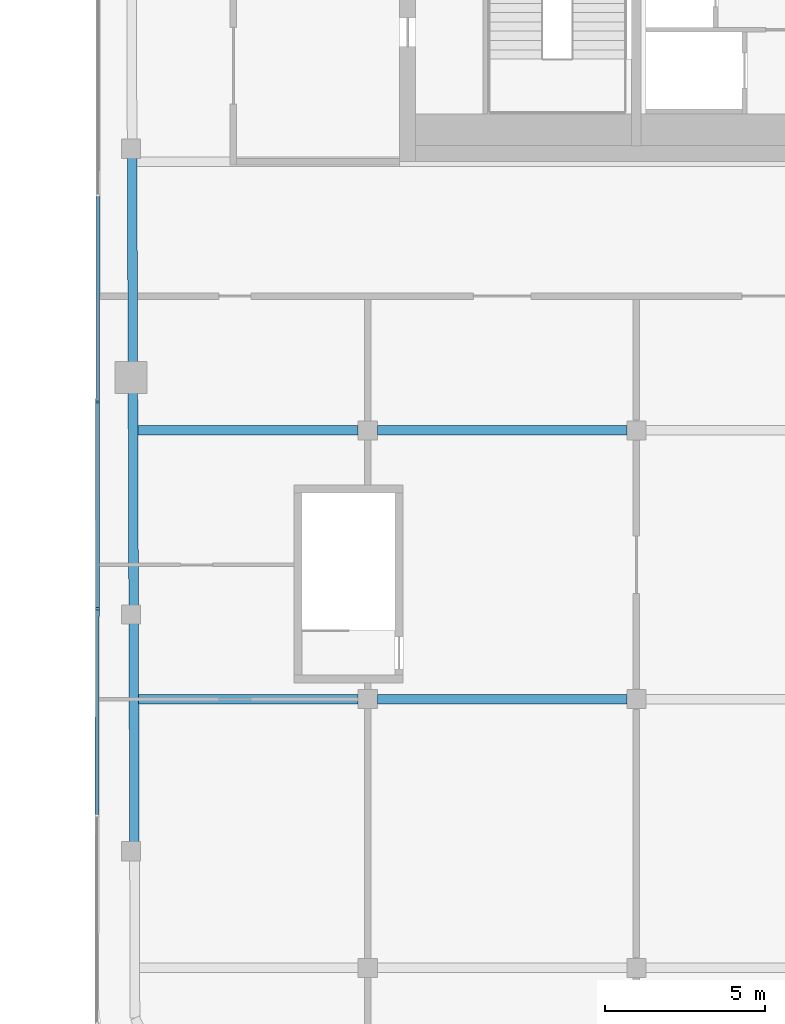
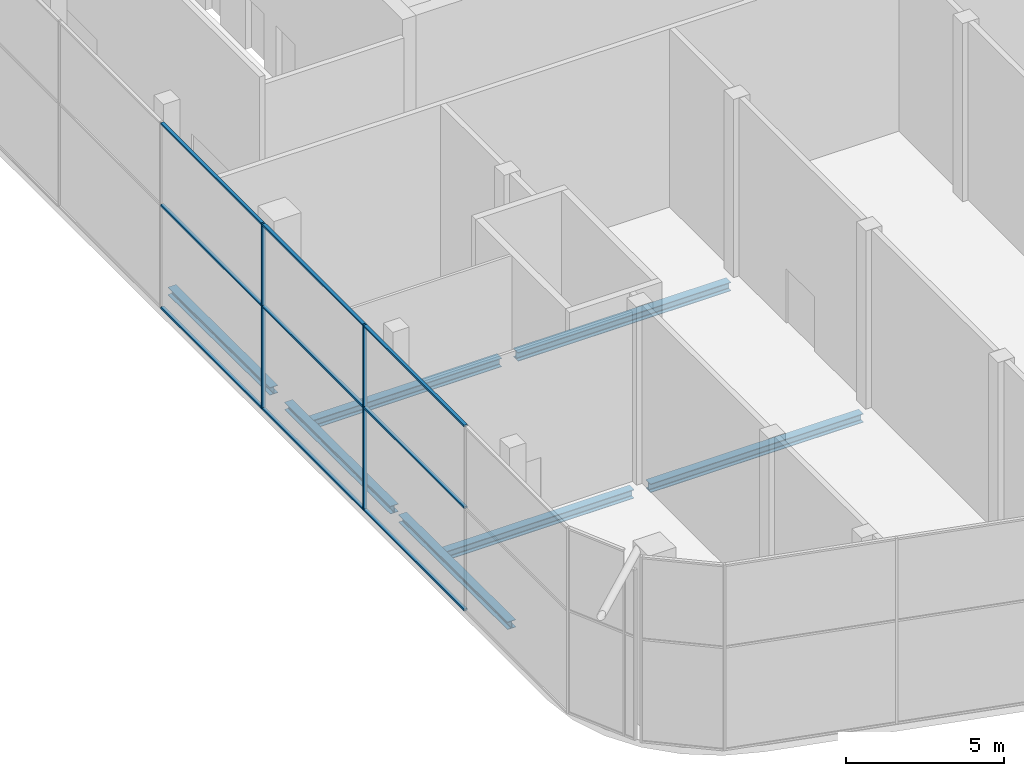
# One storey, part 4 of 23: 11 members, 7 beams, 1 element without a shape of its own.
"""IFC4 building model written with IfcOpenShell, lengths in metres."""

from ifc_helpers import new_model, si_unit, direction, frame, origin, origin_2d, place, context, subcontext, project, spatial, rectangle, i_section, extrude, material, layer, layer_set, material_profile, profile_set, type_object, element, aggregate, save


model = new_model("IFC4")

# Units and contexts
model_context = context("Model", 3, precision=1e-05, world=origin(), true_north=direction((0.0, 1.0)))
body_context = subcontext(model_context, "Body", "Model", "MODEL_VIEW")
ifc_project = project(units=[si_unit("LENGTHUNIT", "METRE"), si_unit("AREAUNIT", "SQUARE_METRE"), si_unit("VOLUMEUNIT", "CUBIC_METRE"), si_unit("PLANEANGLEUNIT", "RADIAN"), si_unit("MASSUNIT", "GRAM", prefix="KILO")], contexts=[model_context])

# Site, building, storey
site_placement = place(None, origin())
site = spatial("IfcSite", under=ifc_project, at=site_placement, CompositionType="ELEMENT")
building_placement = place(site_placement, origin())
building = spatial("IfcBuilding", under=site, at=building_placement, Name="Marenta Gate Hotel Tower", CompositionType="ELEMENT")
storey_placement = place(building_placement, frame((0.0, 0.0, 288.5)))
storey = spatial("IfcBuildingStorey", under=building, at=storey_placement, Name="L66", CompositionType="ELEMENT", Elevation=288.5)

# Beams
ifc_material_1 = material(Name="Steel S355", Category="steel")
ifc_material_profile_1 = material_profile(ifc_material_1, i_section(OverallWidth=0.300048828125, OverallDepth=0.300048828125, WebThickness=0.010986328125, FlangeThickness=0.01904296875, FilletRadius=0.027099609375, at=origin_2d()), Name="HEB 300")
ifc_profile_set_1 = profile_set([ifc_material_profile_1], Name="Steel S355")
beam_type_1 = type_object("IfcBeamType", Name="Edge beam HEB 300", PredefinedType="SPANDREL", material=ifc_profile_set_1)
beam_1_placement = place(storey_placement, frame((-19.893310546875, -21.2919921875, -0.409912109375), z_axis=(-0.003335088779, 0.999994438576, 0.0), x_axis=(-0.999994438576, -0.003335088779, 0.0)))
element("IfcBeam", 1, at=beam_1_placement, inside=storey, type_object=beam_type_1, Name="L66-EB-6", PredefinedType="SPANDREL", context=body_context, shape_type="SweptSolid", body=[
    extrude(i_section(OverallWidth=0.300048828125, OverallDepth=0.300048828125, WebThickness=0.010986328125, FlangeThickness=0.01904296875, FilletRadius=0.027099609375, at=origin_2d()), origin(), (0.0, 0.0, 1.0), 6.881103515625),
])
beam_2_placement = place(storey_placement, frame((-19.91796875, -13.890869140625, -0.409912109375), z_axis=(-0.00332539729, 0.999994470851, 0.0), x_axis=(-0.999994470851, -0.00332539729, 0.0)))
element("IfcBeam", 2, at=beam_2_placement, inside=storey, type_object=beam_type_1, Name="L66-EB-7", PredefinedType="SPANDREL", context=body_context, shape_type="SweptSolid", body=[
    extrude(i_section(OverallWidth=0.300048828125, OverallDepth=0.300048828125, WebThickness=0.010986328125, FlangeThickness=0.01904296875, FilletRadius=0.027099609375, at=origin_2d()), origin(), (0.0, 0.0, 1.0), 6.680908203125),
])
beam_3_placement = place(storey_placement, frame((-19.943359375, -6.2900390625, -0.409912109375), z_axis=(-0.003339513085, 0.999994423811, 0.0), x_axis=(-0.999994423811, -0.003339513085, 0.0)))
element("IfcBeam", 3, at=beam_3_placement, inside=storey, type_object=beam_type_1, Name="L66-EB-8", PredefinedType="SPANDREL", context=body_context, shape_type="SweptSolid", body=[
    extrude(i_section(OverallWidth=0.300048828125, OverallDepth=0.300048828125, WebThickness=0.010986328125, FlangeThickness=0.01904296875, FilletRadius=0.027099609375, at=origin_2d()), origin(), (0.0, 0.0, 1.0), 6.433349609375),
])
ifc_material_2 = material(Name="Steel S355", Category="steel")
ifc_material_profile_2 = material_profile(ifc_material_2, i_section(OverallWidth=0.300048828125, OverallDepth=0.340087890625, WebThickness=0.011962890625, FlangeThickness=0.021484375, FilletRadius=0.027099609375, at=origin_2d()), Name="HEB 340")
ifc_profile_set_2 = profile_set([ifc_material_profile_2], Name="Steel S355")
beam_type_2 = type_object("IfcBeamType", Name="Girder HEB 340", PredefinedType="BEAM", material=ifc_profile_set_2)
beam_4_placement = place(storey_placement, frame((-19.75830078125, -16.800048828125, -0.429931640625), z_axis=(1.0, 0.0, 0.0), x_axis=(0.0, 1.0, 0.0)))
element("IfcBeam", 4, at=beam_4_placement, inside=storey, type_object=beam_type_2, Name="L66-GD-6", PredefinedType="BEAM", context=body_context, shape_type="SweptSolid", body=[
    extrude(i_section(OverallWidth=0.300048828125, OverallDepth=0.340087890625, WebThickness=0.011962890625, FlangeThickness=0.021484375, FilletRadius=0.027099609375, at=origin_2d()), origin(), (0.0, 0.0, 1.0), 6.8583984375),
])
beam_5_placement = place(storey_placement, frame((-12.300048828125, -16.800048828125, -0.429931640625), z_axis=(1.0, 0.0, 0.0), x_axis=(0.0, 1.0, 0.0)))
element("IfcBeam", 5, at=beam_5_placement, inside=storey, type_object=beam_type_2, Name="L66-GD-7", PredefinedType="BEAM", context=body_context, shape_type="SweptSolid", body=[
    extrude(i_section(OverallWidth=0.300048828125, OverallDepth=0.340087890625, WebThickness=0.011962890625, FlangeThickness=0.021484375, FilletRadius=0.027099609375, at=origin_2d()), origin(), (0.0, 0.0, 1.0), 7.800048828125),
])
beam_6_placement = place(storey_placement, frame((-19.786376953125, -8.39990234375, -0.429931640625), z_axis=(1.0, 0.0, 0.0), x_axis=(0.0, 1.0, 0.0)))
element("IfcBeam", 6, at=beam_6_placement, inside=storey, type_object=beam_type_2, Name="L66-GD-11", PredefinedType="BEAM", context=body_context, shape_type="SweptSolid", body=[
    extrude(i_section(OverallWidth=0.300048828125, OverallDepth=0.340087890625, WebThickness=0.011962890625, FlangeThickness=0.021484375, FilletRadius=0.027099609375, at=origin_2d()), origin(), (0.0, 0.0, 1.0), 6.886474609375),
])
beam_7_placement = place(storey_placement, frame((-12.300048828125, -8.39990234375, -0.429931640625), z_axis=(1.0, 0.0, 0.0), x_axis=(0.0, 1.0, 0.0)))
element("IfcBeam", 7, at=beam_7_placement, inside=storey, type_object=beam_type_2, Name="L66-GD-12", PredefinedType="BEAM", context=body_context, shape_type="SweptSolid", body=[
    extrude(i_section(OverallWidth=0.300048828125, OverallDepth=0.340087890625, WebThickness=0.011962890625, FlangeThickness=0.021484375, FilletRadius=0.027099609375, at=origin_2d()), origin(), (0.0, 0.0, 1.0), 7.800048828125),
])

# Curtain wall, members
ifc_material_3 = material(Name="Tinted insulated glass in bronze anodised frame", Category="glass")
ifc_layer = layer(ifc_material_3, 0.1201171875)
ifc_layer_set = layer_set([ifc_layer], Name="Tinted insulated glass in bronze anodised frame")
curtain_wall_type = type_object("IfcCurtainWallType", Name="Sky restaurant glazing CW4", PredefinedType="NOTDEFINED", material=ifc_layer_set)
curtain_wall_placement = place(storey_placement, origin())
curtain_wall = element("IfcCurtainWall", 8, at=curtain_wall_placement, inside=storey, type_object=curtain_wall_type, Name="CW4 run G05", PredefinedType="NOTDEFINED")
ifc_material_4 = material(Name="Bronze anodised aluminium", Category="aluminium")
ifc_material_profile_3 = material_profile(ifc_material_4, rectangle(XDim=0.1201171875, YDim=0.070068359375, at=origin_2d()), Name="Mullion CW4 70x120 bronze anodised aluminium")
ifc_profile_set_3 = profile_set([ifc_material_profile_3], Name="Bronze anodised aluminium")
member_type_1 = type_object("IfcMemberType", Name="Mullion CW4 70x120 bronze anodised aluminium", PredefinedType="MULLION", material=ifc_profile_set_3)
member_1_placement = place(storey_placement, frame((-21.042724609375, -7.513916015625, 0.0), z_axis=(0.0, 0.0, 1.0), x_axis=(0.99999877375, -0.001566045546, 0.0)))
member_1 = element("IfcMember", 9, at=member_1_placement, type_object=member_type_1, Name="CW4 mullion 4", PredefinedType="MULLION", context=body_context, shape_type="SweptSolid", body=[
    extrude(rectangle(XDim=0.1201171875, YDim=0.070068359375, at=origin_2d()), origin(), (0.0, 0.0, 1.0), 7.199951171875),
])
member_2_placement = place(storey_placement, frame((-21.052734375, -13.973876953125, 0.0), z_axis=(0.0, 0.0, 1.0), x_axis=(0.99999877375, -0.001566045546, 0.0)))
member_2 = element("IfcMember", 10, at=member_2_placement, type_object=member_type_1, Name="CW4 mullion 5", PredefinedType="MULLION", context=body_context, shape_type="SweptSolid", body=[
    extrude(rectangle(XDim=0.1201171875, YDim=0.070068359375, at=origin_2d()), origin(), (0.0, 0.0, 1.0), 7.199951171875),
])
ifc_material_5 = material(Name="Bronze anodised aluminium", Category="aluminium")
ifc_material_profile_4 = material_profile(ifc_material_5, rectangle(XDim=0.1201171875, YDim=0.070068359375, at=origin_2d()), Name="Transom CW4 70x120 bronze anodised aluminium")
ifc_profile_set_4 = profile_set([ifc_material_profile_4], Name="Bronze anodised aluminium")
member_type_2 = type_object("IfcMemberType", Name="Transom CW4 70x120 bronze anodised aluminium", PredefinedType="USERDEFINED", material=ifc_profile_set_4)
member_3_placement = place(storey_placement, frame((-21.032470703125, -1.0888671875, 0.034912109375), z_axis=(-0.001566497906, -0.999998773041, 0.0), x_axis=(0.999998773041, -0.001566497906, 0.0)))
member_3 = element("IfcMember", 11, at=member_3_placement, type_object=member_type_2, Name="CW4 transom 3.1", ObjectType="TRANSOM", PredefinedType="USERDEFINED", context=body_context, shape_type="SweptSolid", body=[
    extrude(rectangle(XDim=0.1201171875, YDim=0.070068359375, at=origin_2d()), origin(), (0.0, 0.0, 1.0), 6.389892578125),
])
member_4_placement = place(storey_placement, frame((-21.032470703125, -1.0888671875, 4.0), z_axis=(-0.001566497906, -0.999998773041, 0.0), x_axis=(0.999998773041, -0.001566497906, 0.0)))
member_4 = element("IfcMember", 12, at=member_4_placement, type_object=member_type_2, Name="CW4 transom 3.2", ObjectType="TRANSOM", PredefinedType="USERDEFINED", context=body_context, shape_type="SweptSolid", body=[
    extrude(rectangle(XDim=0.1201171875, YDim=0.070068359375, at=origin_2d()), origin(), (0.0, 0.0, 1.0), 6.389892578125),
])
member_5_placement = place(storey_placement, frame((-21.032470703125, -1.0888671875, 7.1650390625), z_axis=(-0.001566497906, -0.999998773041, 0.0), x_axis=(0.999998773041, -0.001566497906, 0.0)))
member_5 = element("IfcMember", 13, at=member_5_placement, type_object=member_type_2, Name="CW4 transom 3.3", ObjectType="TRANSOM", PredefinedType="USERDEFINED", context=body_context, shape_type="SweptSolid", body=[
    extrude(rectangle(XDim=0.1201171875, YDim=0.070068359375, at=origin_2d()), origin(), (0.0, 0.0, 1.0), 6.389892578125),
])
member_6_placement = place(storey_placement, frame((-21.042724609375, -7.548828125, 0.034912109375), z_axis=(-0.001566497906, -0.999998773041, 0.0), x_axis=(0.999998773041, -0.001566497906, 0.0)))
member_6 = element("IfcMember", 14, at=member_6_placement, type_object=member_type_2, Name="CW4 transom 4.1", ObjectType="TRANSOM", PredefinedType="USERDEFINED", context=body_context, shape_type="SweptSolid", body=[
    extrude(rectangle(XDim=0.1201171875, YDim=0.070068359375, at=origin_2d()), origin(), (0.0, 0.0, 1.0), 6.389892578125),
])
member_7_placement = place(storey_placement, frame((-21.042724609375, -7.548828125, 4.0), z_axis=(-0.001566497906, -0.999998773041, 0.0), x_axis=(0.999998773041, -0.001566497906, 0.0)))
member_7 = element("IfcMember", 15, at=member_7_placement, type_object=member_type_2, Name="CW4 transom 4.2", ObjectType="TRANSOM", PredefinedType="USERDEFINED", context=body_context, shape_type="SweptSolid", body=[
    extrude(rectangle(XDim=0.1201171875, YDim=0.070068359375, at=origin_2d()), origin(), (0.0, 0.0, 1.0), 6.389892578125),
])
member_8_placement = place(storey_placement, frame((-21.042724609375, -7.548828125, 7.1650390625), z_axis=(-0.001566497906, -0.999998773041, 0.0), x_axis=(0.999998773041, -0.001566497906, 0.0)))
member_8 = element("IfcMember", 16, at=member_8_placement, type_object=member_type_2, Name="CW4 transom 4.3", ObjectType="TRANSOM", PredefinedType="USERDEFINED", context=body_context, shape_type="SweptSolid", body=[
    extrude(rectangle(XDim=0.1201171875, YDim=0.070068359375, at=origin_2d()), origin(), (0.0, 0.0, 1.0), 6.389892578125),
])
member_9_placement = place(storey_placement, frame((-21.052734375, -14.0087890625, 0.034912109375), z_axis=(-0.001566497906, -0.999998773041, 0.0), x_axis=(0.999998773041, -0.001566497906, 0.0)))
member_9 = element("IfcMember", 17, at=member_9_placement, type_object=member_type_2, Name="CW4 transom 5.1", ObjectType="TRANSOM", PredefinedType="USERDEFINED", context=body_context, shape_type="SweptSolid", body=[
    extrude(rectangle(XDim=0.1201171875, YDim=0.070068359375, at=origin_2d()), origin(), (0.0, 0.0, 1.0), 6.389892578125),
])
member_10_placement = place(storey_placement, frame((-21.052734375, -14.0087890625, 4.0), z_axis=(-0.001566497906, -0.999998773041, 0.0), x_axis=(0.999998773041, -0.001566497906, 0.0)))
member_10 = element("IfcMember", 18, at=member_10_placement, type_object=member_type_2, Name="CW4 transom 5.2", ObjectType="TRANSOM", PredefinedType="USERDEFINED", context=body_context, shape_type="SweptSolid", body=[
    extrude(rectangle(XDim=0.1201171875, YDim=0.070068359375, at=origin_2d()), origin(), (0.0, 0.0, 1.0), 6.389892578125),
])
member_11_placement = place(storey_placement, frame((-21.052734375, -14.0087890625, 7.1650390625), z_axis=(-0.001566497906, -0.999998773041, 0.0), x_axis=(0.999998773041, -0.001566497906, 0.0)))
member_11 = element("IfcMember", 19, at=member_11_placement, type_object=member_type_2, Name="CW4 transom 5.3", ObjectType="TRANSOM", PredefinedType="USERDEFINED", context=body_context, shape_type="SweptSolid", body=[
    extrude(rectangle(XDim=0.1201171875, YDim=0.070068359375, at=origin_2d()), origin(), (0.0, 0.0, 1.0), 6.389892578125),
])
aggregate(curtain_wall, [member_1, member_2, member_3, member_4, member_5, member_6, member_7, member_8, member_9, member_10, member_11])

save(model, "model.ifc")
